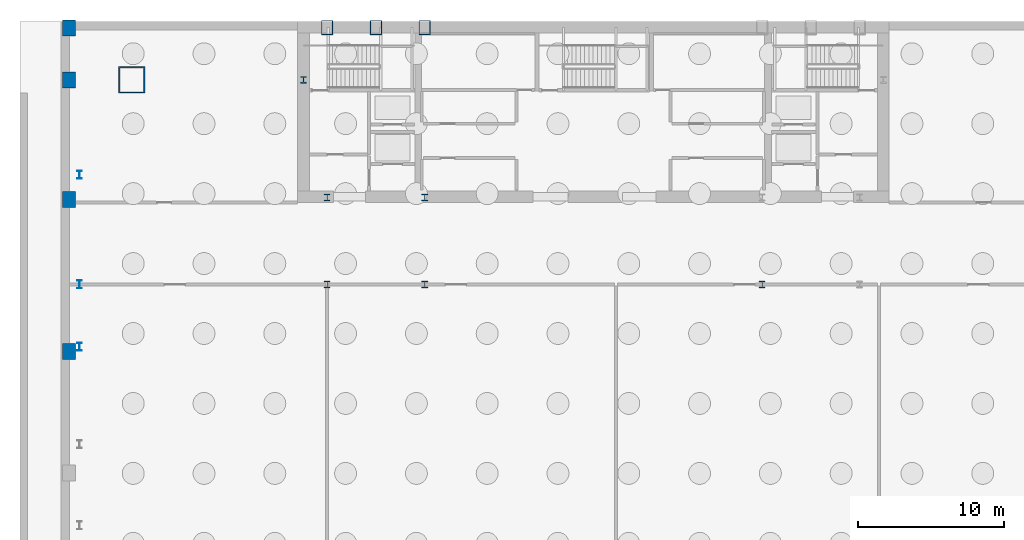
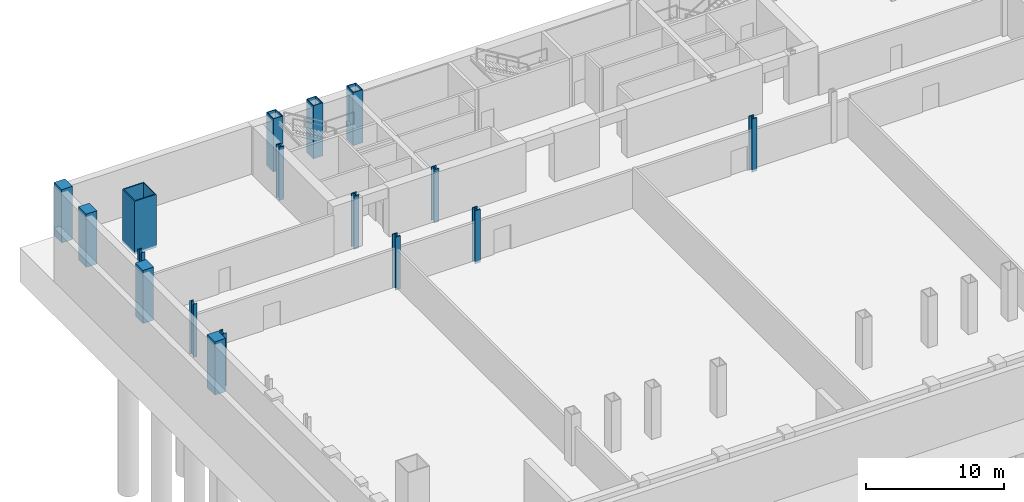
# One storey, part 5 of 11: 17 columns.
"""IFC4 building model written with IfcOpenShell, lengths in metres."""

from ifc_helpers import new_model, si_unit, direction, frame, origin, origin_2d, place, context, subcontext, project, spatial, rectangle, hollow_rectangle, i_section, extrude, material, material_profile, profile_set, type_object, element, save


model = new_model("IFC4")

# Units and contexts
model_context = context("Model", 3, precision=1e-05, world=origin(), true_north=direction((0.0, 1.0)))
body_context = subcontext(model_context, "Body", "Model", "MODEL_VIEW")
ifc_project = project(units=[si_unit("LENGTHUNIT", "METRE"), si_unit("AREAUNIT", "SQUARE_METRE"), si_unit("VOLUMEUNIT", "CUBIC_METRE"), si_unit("PLANEANGLEUNIT", "RADIAN"), si_unit("MASSUNIT", "GRAM", prefix="KILO")], contexts=[model_context])

# Site, building, storey
site_placement = place(None, origin())
site = spatial("IfcSite", under=ifc_project, at=site_placement, CompositionType="ELEMENT")
building_placement = place(site_placement, origin())
building = spatial("IfcBuilding", under=site, at=building_placement, Name="Khoronbel Lancet Exchange", CompositionType="ELEMENT")
storey_placement = place(building_placement, frame((0.0, 0.0, -9.0)))
storey = spatial("IfcBuildingStorey", under=building, at=storey_placement, Name="B2", CompositionType="ELEMENT", Elevation=-9.0)

# Columns
ifc_material_1 = material(Name="Steel S460", Category="steel")
ifc_material_profile_1 = material_profile(ifc_material_1, hollow_rectangle(XDim=0.800048828125, YDim=1.0, WallThickness=0.054931640625, at=origin_2d()), Name="BOX 1000x800x55")
ifc_profile_set_1 = profile_set([ifc_material_profile_1], Name="Steel S460")
column_type_1 = type_object("IfcColumnType", Name="COL-EC1", PredefinedType="COLUMN", material=ifc_profile_set_1)
for number, where, z_axis, x_axis, name in (
    (1, (18.22509765625, 53.280029296875, -0.199951171875), (0.0, 0.0, 1.0), (1.0, 0.0, 0.0), "Structural column NC-W1 B2"),
    (2, (21.5625, 53.280029296875, -0.199951171875), (0.0, 0.0, 1.0), (1.0, 0.0, 0.0), "Structural column NC-WM B2"),
    (3, (24.89990234375, 53.280029296875, -0.199951171875), (0.0, 0.0, 1.0), (1.0, 0.0, 0.0), "Structural column NC-W2 B2"),
):
    element("IfcColumn", number, at=place(storey_placement, frame(where, z_axis=z_axis, x_axis=x_axis)), inside=storey, type_object=column_type_1, Name=name, PredefinedType="COLUMN", context=body_context, shape_type="SweptSolid", body=[
        extrude(hollow_rectangle(XDim=0.800048828125, YDim=1.0, WallThickness=0.054931640625, at=origin_2d()), origin(), (0.0, 0.0, 1.0), 4.699951171875),
    ])
ifc_material_profile_2 = material_profile(ifc_material_1, i_section(OverallWidth=0.424072265625, OverallDepth=0.47412109375, WebThickness=0.047607421875, FlangeThickness=0.076904296875, at=origin_2d()), Name="HD 400x634")
ifc_profile_set_2 = profile_set([ifc_material_profile_2], Name="Steel S460")
column_type_2 = type_object("IfcColumnType", Name="COL-IC1", PredefinedType="COLUMN", material=ifc_profile_set_2)
for number, where, z_axis, x_axis, name in (
    (4, (16.60009765625, 49.699951171875, -0.199951171875), (0.0, 0.0, 1.0), (1.0, 0.0, 0.0), "Core-flank plumb transfer column CFW B2"),
    (5, (18.22509765625, 35.699951171875, -0.199951171875), (0.0, 0.0, 1.0), (1.0, 0.0, 0.0), "Spine gravity column TC1 B2"),
    (6, (18.22509765625, 41.64990234375, -0.199951171875), (0.0, 0.0, 1.0), (1.0, 0.0, 0.0), "Core-embedded steel column CTC1 B2"),
    (7, (24.89990234375, 35.699951171875, -0.199951171875), (0.0, 0.0, 1.0), (1.0, 0.0, 0.0), "Spine gravity column TC2 B2"),
    (8, (24.89990234375, 41.64990234375, -0.199951171875), (0.0, 0.0, 1.0), (1.0, 0.0, 0.0), "Core-embedded steel column CTC2 B2"),
    (9, (48.0, 35.699951171875, -0.199951171875), (0.0, 0.0, 1.0), (1.0, 0.0, 0.0), "Spine gravity column TC3 B2"),
):
    element("IfcColumn", number, at=place(storey_placement, frame(where, z_axis=z_axis, x_axis=x_axis)), inside=storey, type_object=column_type_2, Name=name, PredefinedType="COLUMN", context=body_context, shape_type="SweptSolid", body=[
        extrude(i_section(OverallWidth=0.424072265625, OverallDepth=0.47412109375, WebThickness=0.047607421875, FlangeThickness=0.076904296875, at=origin_2d()), origin(), (0.0, 0.0, 1.0), 4.699951171875),
    ])
ifc_material_2 = material(Name="Steel S355", Category="steel")
ifc_material_profile_3 = material_profile(ifc_material_2, i_section(OverallWidth=0.300048828125, OverallDepth=0.550048828125, WebThickness=0.014892578125, FlangeThickness=0.029052734375, at=origin_2d()), Name="HEB 550")
ifc_profile_set_3 = profile_set([ifc_material_profile_3], Name="Steel S355")
column_type_3 = type_object("IfcColumnType", Name="COL-LC1", PredefinedType="COLUMN", material=ifc_profile_set_3)
for number, where, z_axis, x_axis, name in (
    (10, (1.27001953125, 31.425048828125, -0.199951171875), (0.0, 0.0, 1.0), (1.0, 0.0, 0.0), "Structural column WC-M B2"),
    (11, (1.27001953125, 35.699951171875, -0.199951171875), (0.0, 0.0, 1.0), (1.0, 0.0, 0.0), "Structural column WC-3 B2"),
    (12, (1.27001953125, 43.199951171875, -0.199951171875), (0.0, 0.0, 1.0), (1.0, 0.0, 0.0), "Structural column WC-4 B2"),
):
    element("IfcColumn", number, at=place(storey_placement, frame(where, z_axis=z_axis, x_axis=x_axis)), inside=storey, type_object=column_type_3, Name=name, PredefinedType="COLUMN", context=body_context, shape_type="SweptSolid", body=[
        extrude(i_section(OverallWidth=0.300048828125, OverallDepth=0.550048828125, WebThickness=0.014892578125, FlangeThickness=0.029052734375, at=origin_2d()), origin(), (0.0, 0.0, 1.0), 4.699951171875),
    ])
ifc_material_profile_4 = material_profile(ifc_material_1, hollow_rectangle(XDim=1.800048828125, YDim=1.800048828125, WallThickness=0.080078125, at=origin_2d()), Name="BOX 1800x1800x80")
ifc_profile_set_4 = profile_set([ifc_material_profile_4], Name="Steel S460")
column_type_4 = type_object("IfcColumnType", Name="COL-MC1", PredefinedType="COLUMN", material=ifc_profile_set_4)
column_placement = place(storey_placement, frame((4.85009765625, 49.699951171875, -0.199951171875), z_axis=(0.0, 0.0, 1.0), x_axis=(1.0, 0.0, 0.0)))
element("IfcColumn", 13, at=column_placement, inside=storey, type_object=column_type_4, Name="Structural column MC-NW B2", PredefinedType="COLUMN", context=body_context, shape_type="SweptSolid", body=[
    extrude(hollow_rectangle(XDim=1.800048828125, YDim=1.800048828125, WallThickness=0.080078125, at=origin_2d()), origin(), (0.0, 0.0, 1.0), 4.699951171875),
])
ifc_material_3 = material(Name="Concrete C60/75", Category="concrete")
ifc_material_profile_5 = material_profile(ifc_material_3, rectangle(XDim=0.89990234375, YDim=1.10009765625, at=origin_2d()), Name="RC 900x1100")
ifc_profile_set_5 = profile_set([ifc_material_profile_5], Name="Concrete C60/75")
column_type_5 = type_object("IfcColumnType", Name="COL-PIL1", PredefinedType="PILASTER", material=ifc_profile_set_5)
for number, where, z_axis, x_axis, name in (
    (14, (0.550048828125, 49.699951171875, -0.199951171875), (0.0, 0.0, 1.0), (1.0, 0.0, 0.0), "Podium Gothic colonnade pilaster NWMC B2"),
    (15, (0.550048828125, 53.25, -0.199951171875), (0.0, 0.0, 1.0), (1.0, 0.0, 0.0), "Podium Gothic colonnade pilaster NWP B2"),
    (16, (0.550048828125, 31.10009765625, -0.199951171875), (0.0, 0.0, 1.0), (1.0, 0.0, 0.0), "Podium Gothic colonnade pilaster W3 B2"),
    (17, (0.550048828125, 41.5, -0.199951171875), (0.0, 0.0, 1.0), (1.0, 0.0, 0.0), "Podium Gothic colonnade pilaster W4 B2"),
):
    element("IfcColumn", number, at=place(storey_placement, frame(where, z_axis=z_axis, x_axis=x_axis)), inside=storey, type_object=column_type_5, Name=name, PredefinedType="PILASTER", context=body_context, shape_type="SweptSolid", body=[
        extrude(rectangle(XDim=0.89990234375, YDim=1.10009765625, at=origin_2d()), origin(), (0.0, 0.0, 1.0), 4.699951171875),
    ])

save(model, "model.ifc")
